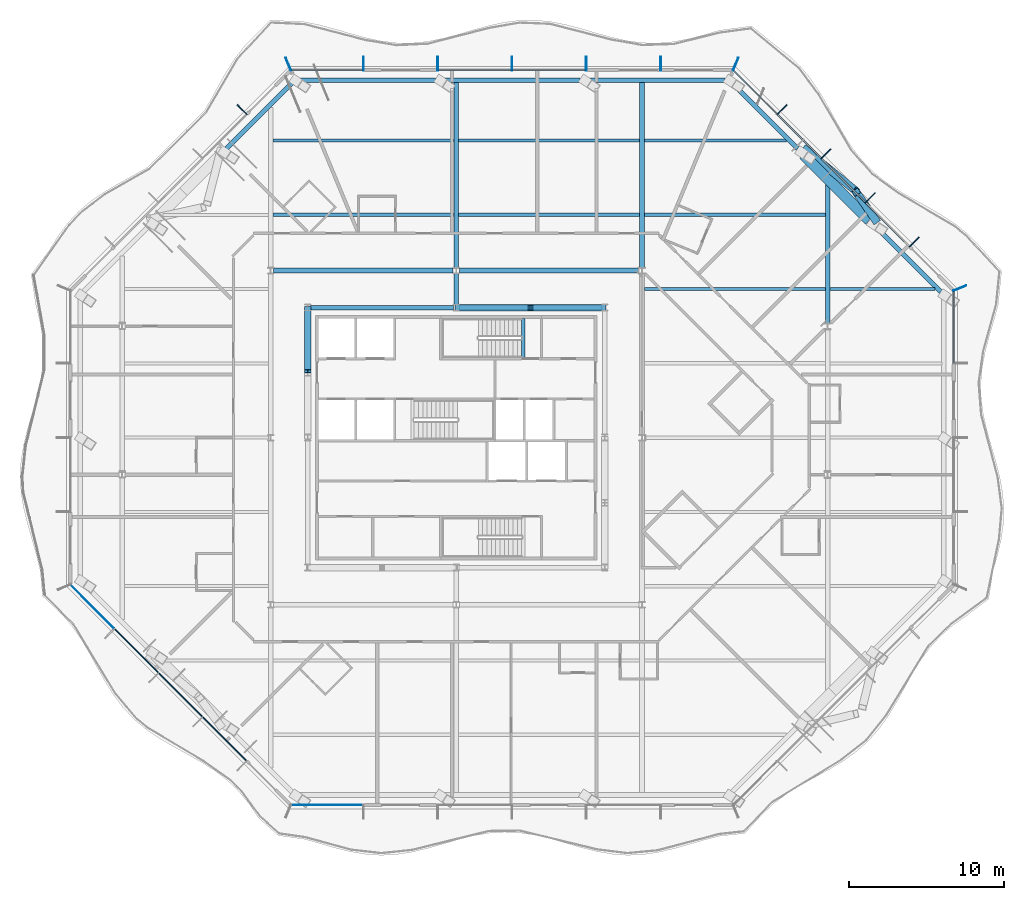
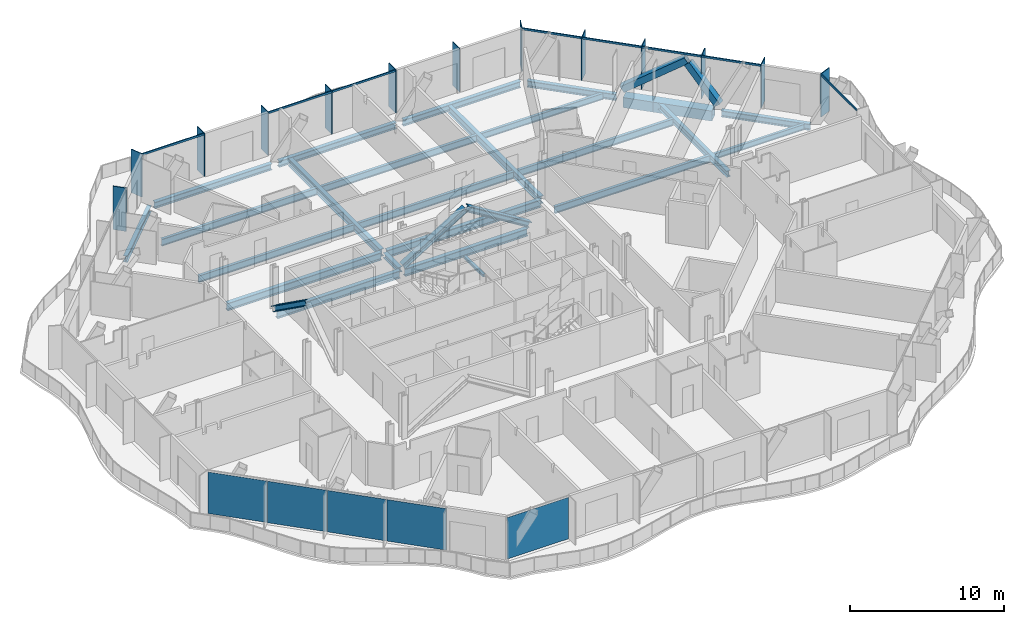
# One storey, part 5 of 19: 26 members, 25 beams, 5 plates, 6 elements without a shape of their own.
"""IFC4 building model written with IfcOpenShell, lengths in metres."""

from ifc_helpers import new_model, si_unit, direction, frame, origin, origin_2d, place, context, subcontext, project, spatial, rectangle, hollow_rectangle, i_section, extrude, material, layer, layer_set, material_profile, profile_set, type_object, element, aggregate, save


model = new_model("IFC4")

# Units and contexts
model_context = context("Model", 3, precision=1e-05, world=origin(), true_north=direction((0.0, 1.0)))
body_context = subcontext(model_context, "Body", "Model", "MODEL_VIEW")
ifc_project = project(units=[si_unit("LENGTHUNIT", "METRE"), si_unit("AREAUNIT", "SQUARE_METRE"), si_unit("VOLUMEUNIT", "CUBIC_METRE"), si_unit("PLANEANGLEUNIT", "RADIAN"), si_unit("MASSUNIT", "GRAM", prefix="KILO")], contexts=[model_context])

# Site, building, storey
site_placement = place(None, origin())
site = spatial("IfcSite", under=ifc_project, at=site_placement, CompositionType="ELEMENT")
building_placement = place(site_placement, origin())
building = spatial("IfcBuilding", under=site, at=building_placement, Name="Cairn Pilgrim Tower", CompositionType="ELEMENT")
storey_placement = place(building_placement, frame((0.0, 0.0, 186.60009765625)))
storey = spatial("IfcBuildingStorey", under=building, at=storey_placement, Name="L47", CompositionType="ELEMENT", Elevation=186.60009765625)

# Members
ifc_material_1 = material(Name="Structural steel S460M", Category="steel")
ifc_material_profile_1 = material_profile(ifc_material_1, hollow_rectangle(XDim=0.5, YDim=0.5, WallThickness=0.030029296875, at=origin_2d()), Name="BOX 500x500x30")
ifc_profile_set_1 = profile_set([ifc_material_profile_1], Name="Structural steel S460M")
member_type_1 = type_object("IfcMemberType", Name="BOX 500x500x30 BRACE", PredefinedType="BRACE", material=ifc_profile_set_1)
member_1_placement = place(storey_placement, frame((34.2958984375, 16.458984375, 0.065185546875), z_axis=(-0.362526913644, 0.52433511381, 0.770484863777), x_axis=(-0.822540266509, -0.568706875263, 0.0)))
element("IfcMember", 1, at=member_1_placement, inside=storey, type_object=member_type_1, Name="XB-NE2-NE3-1", PredefinedType="BRACE", context=body_context, shape_type="SweptSolid", body=[
    extrude(hollow_rectangle(XDim=0.5, YDim=0.5, WallThickness=0.030029296875, at=origin_2d()), origin(), (0.0, 0.0, 1.0), 3.444580078125),
])
member_2_placement = place(storey_placement, frame((29.716552734375, 21.055908203125, 0.14990234375), z_axis=(0.645747598512, -0.530361724878, 0.549296349706), x_axis=(0.634686685606, 0.772769571809, 0.0)))
element("IfcMember", 2, at=member_2_placement, inside=storey, type_object=member_type_1, Name="XB-NE2-NE3-2", PredefinedType="BRACE", context=body_context, shape_type="SweptSolid", body=[
    extrude(hollow_rectangle(XDim=0.5, YDim=0.5, WallThickness=0.030029296875, at=origin_2d()), origin(), (0.0, 0.0, 1.0), 5.080078125),
])

# Beams
ifc_material_2 = material(Name="Structural steel S355J2", Category="steel")
ifc_material_profile_2 = material_profile(ifc_material_2, hollow_rectangle(XDim=0.699951171875, YDim=0.800048828125, WallThickness=0.0400390625, at=origin_2d()), Name="BOX 700x800x40")
ifc_profile_set_2 = profile_set([ifc_material_profile_2], Name="Structural steel S355J2")
beam_type_1 = type_object("IfcBeamType", Name="BOX 700x800x40 RING GIRDER", PredefinedType="SPANDREL", material=ifc_profile_set_2)
beam_1_placement = place(storey_placement, frame((33.884765625, 16.4423828125, -0.550048828125), z_axis=(-0.707106781187, 0.707106781187, 0.0), x_axis=(-0.707106781187, -0.707106781187, 0.0)))
element("IfcBeam", 3, at=beam_1_placement, inside=storey, type_object=beam_type_1, Name="RG2-NE2-NE3-1", PredefinedType="SPANDREL", context=body_context, shape_type="SweptSolid", body=[
    extrude(hollow_rectangle(XDim=0.699951171875, YDim=0.800048828125, WallThickness=0.0400390625, at=origin_2d()), origin(), (0.0, 0.0, 1.0), 3.98046875),
])
beam_2_placement = place(storey_placement, frame((31.070068359375, 19.257080078125, -0.550048828125), z_axis=(-0.707106781187, 0.707106781187, 0.0), x_axis=(-0.707106781187, -0.707106781187, 0.0)))
element("IfcBeam", 4, at=beam_2_placement, inside=storey, type_object=beam_type_1, Name="RG2-NE2-NE3-2", PredefinedType="SPANDREL", context=body_context, shape_type="SweptSolid", body=[
    extrude(hollow_rectangle(XDim=0.699951171875, YDim=0.800048828125, WallThickness=0.0400390625, at=origin_2d()), origin(), (0.0, 0.0, 1.0), 2.01904296875),
])

# Curtain wall, members
ifc_material_3 = material(Name="Aluminium alloy 6063-T6 bronze anodised with Bronze tinted laminated low-E glass 8+16+8.8", Category="aluminium")
curtain_wall_type_1 = type_object("IfcCurtainWallType", Name="CHAMFER CORNER CURTAIN WALL", PredefinedType="NOTDEFINED", material=ifc_material_3)
curtain_wall_1_placement = place(storey_placement, origin())
curtain_wall_1 = element("IfcCurtainWall", 5, at=curtain_wall_1_placement, inside=storey, type_object=curtain_wall_type_1, Name="Chamfer Corner Curtain Wall NE", PredefinedType="NOTDEFINED")
ifc_material_4 = material(Name="Aluminium alloy 6063-T6 bronze anodised", Category="aluminium")
ifc_material_profile_3 = material_profile(ifc_material_4, rectangle(XDim=0.89990234375, YDim=0.06005859375, at=origin_2d()), Name="FIN MULLION 60x900 BRONZE")
ifc_profile_set_3 = profile_set([ifc_material_profile_3], Name="Aluminium alloy 6063-T6 bronze anodised")
member_type_2 = type_object("IfcMemberType", Name="FIN MULLION 60x900 BRONZE", PredefinedType="MULLION", material=ifc_profile_set_3)
member_3_placement = place(storey_placement, frame((39.738037109375, 12.05712890625, 0.0), z_axis=(0.0, 0.0, 1.0), x_axis=(0.923879532511, 0.382683432365, 0.0)))
member_3 = element("IfcMember", 6, at=member_3_placement, type_object=member_type_2, Name="Fin mullion NE1", PredefinedType="MULLION", context=body_context, shape_type="SweptSolid", body=[
    extrude(rectangle(XDim=0.89990234375, YDim=0.06005859375, at=origin_2d()), origin(), (0.0, 0.0, 1.0), 3.449951171875),
])
member_4_placement = place(storey_placement, frame((36.79638671875, 15.044189453125, 0.0), z_axis=(0.0, 0.0, 1.0), x_axis=(0.707106781187, 0.707106781187, 0.0)))
member_4 = element("IfcMember", 7, at=member_4_placement, type_object=member_type_2, Name="Fin mullion NE2", PredefinedType="MULLION", context=body_context, shape_type="SweptSolid", body=[
    extrude(rectangle(XDim=0.89990234375, YDim=0.06005859375, at=origin_2d()), origin(), (0.0, 0.0, 1.0), 3.449951171875),
])
member_5_placement = place(storey_placement, frame((33.945556640625, 17.894775390625, 0.0), z_axis=(0.0, 0.0, 1.0), x_axis=(0.707106781187, 0.707106781187, 0.0)))
member_5 = element("IfcMember", 8, at=member_5_placement, type_object=member_type_2, Name="Fin mullion NE3", PredefinedType="MULLION", context=body_context, shape_type="SweptSolid", body=[
    extrude(rectangle(XDim=0.89990234375, YDim=0.06005859375, at=origin_2d()), origin(), (0.0, 0.0, 1.0), 3.449951171875),
])
member_6_placement = place(storey_placement, frame((31.094970703125, 20.74560546875, 0.0), z_axis=(0.0, 0.0, 1.0), x_axis=(0.707106781187, 0.707106781187, 0.0)))
member_6 = element("IfcMember", 9, at=member_6_placement, type_object=member_type_2, Name="Fin mullion NE4", PredefinedType="MULLION", context=body_context, shape_type="SweptSolid", body=[
    extrude(rectangle(XDim=0.89990234375, YDim=0.06005859375, at=origin_2d()), origin(), (0.0, 0.0, 1.0), 3.449951171875),
])
member_7_placement = place(storey_placement, frame((28.244140625, 23.59619140625, 0.0), z_axis=(0.0, 0.0, 1.0), x_axis=(0.707106781187, 0.707106781187, 0.0)))
member_7 = element("IfcMember", 10, at=member_7_placement, type_object=member_type_2, Name="Fin mullion NE5", PredefinedType="MULLION", context=body_context, shape_type="SweptSolid", body=[
    extrude(rectangle(XDim=0.89990234375, YDim=0.06005859375, at=origin_2d()), origin(), (0.0, 0.0, 1.0), 3.449951171875),
])

curtain_wall_type_2 = type_object("IfcCurtainWallType", Name="TOWER STICK CURTAIN WALL NS", PredefinedType="NOTDEFINED", material=ifc_material_3)
curtain_wall_2_placement = place(storey_placement, origin())
curtain_wall_2 = element("IfcCurtainWall", 11, at=curtain_wall_2_placement, inside=storey, type_object=curtain_wall_type_2, Name="Tower Stick Curtain Wall Ns N", PredefinedType="NOTDEFINED")
member_8_placement = place(storey_placement, frame((25.257080078125, 26.5380859375, 0.0), z_axis=(0.0, 0.0, 1.0), x_axis=(0.382683432365, 0.923879532511, 0.0)))
member_8 = element("IfcMember", 12, at=member_8_placement, type_object=member_type_2, Name="Fin mullion N1", PredefinedType="MULLION", context=body_context, shape_type="SweptSolid", body=[
    extrude(rectangle(XDim=0.89990234375, YDim=0.06005859375, at=origin_2d()), origin(), (0.0, 0.0, 1.0), 3.449951171875),
])
member_9_placement = place(storey_placement, frame((20.39990234375, 26.570068359375, 0.0), z_axis=(0.0, 0.0, 1.0), x_axis=(0.0, 1.0, 0.0)))
member_9 = element("IfcMember", 13, at=member_9_placement, type_object=member_type_2, Name="Fin mullion N2", PredefinedType="MULLION", context=body_context, shape_type="SweptSolid", body=[
    extrude(rectangle(XDim=0.89990234375, YDim=0.06005859375, at=origin_2d()), origin(), (0.0, 0.0, 1.0), 3.449951171875),
])
member_10_placement = place(storey_placement, frame((15.60009765625, 26.570068359375, 0.0), z_axis=(0.0, 0.0, 1.0), x_axis=(0.0, 1.0, 0.0)))
member_10 = element("IfcMember", 14, at=member_10_placement, type_object=member_type_2, Name="Fin mullion N3", PredefinedType="MULLION", context=body_context, shape_type="SweptSolid", body=[
    extrude(rectangle(XDim=0.89990234375, YDim=0.06005859375, at=origin_2d()), origin(), (0.0, 0.0, 1.0), 3.449951171875),
])
member_11_placement = place(storey_placement, frame((10.800048828125, 26.570068359375, 0.0), z_axis=(0.0, 0.0, 1.0), x_axis=(0.0, 1.0, 0.0)))
member_11 = element("IfcMember", 15, at=member_11_placement, type_object=member_type_2, Name="Fin mullion N4", PredefinedType="MULLION", context=body_context, shape_type="SweptSolid", body=[
    extrude(rectangle(XDim=0.89990234375, YDim=0.06005859375, at=origin_2d()), origin(), (0.0, 0.0, 1.0), 3.449951171875),
])
member_12_placement = place(storey_placement, frame((6.0, 26.570068359375, 0.0), z_axis=(0.0, 0.0, 1.0), x_axis=(0.0, 1.0, 0.0)))
member_12 = element("IfcMember", 16, at=member_12_placement, type_object=member_type_2, Name="Fin mullion N5", PredefinedType="MULLION", context=body_context, shape_type="SweptSolid", body=[
    extrude(rectangle(XDim=0.89990234375, YDim=0.06005859375, at=origin_2d()), origin(), (0.0, 0.0, 1.0), 3.449951171875),
])
member_13_placement = place(storey_placement, frame((1.199951171875, 26.570068359375, 0.0), z_axis=(0.0, 0.0, 1.0), x_axis=(0.0, 1.0, 0.0)))
member_13 = element("IfcMember", 17, at=member_13_placement, type_object=member_type_2, Name="Fin mullion N6", PredefinedType="MULLION", context=body_context, shape_type="SweptSolid", body=[
    extrude(rectangle(XDim=0.89990234375, YDim=0.06005859375, at=origin_2d()), origin(), (0.0, 0.0, 1.0), 3.449951171875),
])

curtain_wall_3_placement = place(storey_placement, origin())
curtain_wall_3 = element("IfcCurtainWall", 18, at=curtain_wall_3_placement, inside=storey, type_object=curtain_wall_type_1, Name="Chamfer Corner Curtain Wall NW", PredefinedType="NOTDEFINED")
member_14_placement = place(storey_placement, frame((-3.6572265625, 26.5380859375, 0.0), z_axis=(0.0, 0.0, 1.0), x_axis=(-0.382683432365, 0.923879532511, 0.0)))
member_14 = element("IfcMember", 19, at=member_14_placement, type_object=member_type_2, Name="Fin mullion NW1", PredefinedType="MULLION", context=body_context, shape_type="SweptSolid", body=[
    extrude(rectangle(XDim=0.89990234375, YDim=0.06005859375, at=origin_2d()), origin(), (0.0, 0.0, 1.0), 3.449951171875),
])
member_15_placement = place(storey_placement, frame((-6.64404296875, 23.59619140625, 0.0), z_axis=(0.0, 0.0, 1.0), x_axis=(-0.707106781187, 0.707106781187, 0.0)))
member_15 = element("IfcMember", 20, at=member_15_placement, type_object=member_type_2, Name="Fin mullion NW2", PredefinedType="MULLION", context=body_context, shape_type="SweptSolid", body=[
    extrude(rectangle(XDim=0.89990234375, YDim=0.06005859375, at=origin_2d()), origin(), (0.0, 0.0, 1.0), 3.449951171875),
])
aggregate(curtain_wall_3, [member_14, member_15])

# Members
ifc_material_profile_4 = material_profile(ifc_material_1, i_section(OverallWidth=0.408935546875, OverallDepth=0.425048828125, WebThickness=0.03271484375, FlangeThickness=0.052490234375, FilletRadius=0.014892578125, at=origin_2d()), Name="HD 400x421")
ifc_profile_set_4 = profile_set([ifc_material_profile_4], Name="Structural steel S460M")
member_type_3 = type_object("IfcMemberType", Name="HD 400x421 BRACE", PredefinedType="BRACE", material=ifc_profile_set_4)
for number, where, z_axis, x_axis, name in (
    (21, (16.75830078125, 10.800048828125, 0.099853515625), (-0.851099832195, 0.0, 0.525003881545), (0.0, -1.0, 0.0), "KB-3A"),
    (22, (7.24169921875, 10.800048828125, 0.099853515625), (0.851099832195, 0.0, 0.525003881545), (0.0, 1.0, 0.0), "KB-3B"),
):
    element("IfcMember", number, at=place(storey_placement, frame(where, z_axis=z_axis, x_axis=x_axis)), inside=storey, type_object=member_type_3, Name=name, PredefinedType="BRACE", context=body_context, shape_type="SweptSolid", body=[
        extrude(i_section(OverallWidth=0.408935546875, OverallDepth=0.425048828125, WebThickness=0.03271484375, FlangeThickness=0.052490234375, FilletRadius=0.014892578125, at=origin_2d()), origin(), (0.0, 0.0, 1.0), 5.5283203125),
    ])
member_16_placement = place(storey_placement, frame((-2.39990234375, 10.75830078125, 0.099853515625), z_axis=(0.0, -0.81433042856, 0.580401544727), x_axis=(1.0, 0.0, 0.0)))
element("IfcMember", 23, at=member_16_placement, inside=storey, type_object=member_type_3, Name="KB-4A", PredefinedType="BRACE", context=body_context, shape_type="SweptSolid", body=[
    extrude(i_section(OverallWidth=0.408935546875, OverallDepth=0.425048828125, WebThickness=0.03271484375, FlangeThickness=0.052490234375, FilletRadius=0.014892578125, at=origin_2d()), origin(), (0.0, 0.0, 1.0), 4.998046875),
])

# Beams
ifc_material_profile_5 = material_profile(ifc_material_2, i_section(OverallWidth=0.300048828125, OverallDepth=0.39990234375, WebThickness=0.013427734375, FlangeThickness=0.02392578125, FilletRadius=0.027099609375, at=origin_2d()), Name="HEB 400")
ifc_profile_set_5 = profile_set([ifc_material_profile_5], Name="Structural steel S355J2")
beam_type_2 = type_object("IfcBeamType", Name="HEB 400 GIRDER", PredefinedType="BEAM", material=ifc_profile_set_5)
beam_3_placement = place(storey_placement, frame((7.199951171875, 11.008056640625, -0.35009765625), z_axis=(0.0, 1.0, 0.0), x_axis=(-1.0, 0.0, 0.0)))
element("IfcBeam", 24, at=beam_3_placement, inside=storey, type_object=beam_type_2, Name="PG3-E2", PredefinedType="BEAM", context=body_context, shape_type="SweptSolid", body=[
    extrude(i_section(OverallWidth=0.300048828125, OverallDepth=0.39990234375, WebThickness=0.013427734375, FlangeThickness=0.02392578125, FilletRadius=0.027099609375, at=origin_2d()), origin(), (0.0, 0.0, 1.0), 1.992431640625),
])
ifc_material_profile_6 = material_profile(ifc_material_2, i_section(OverallWidth=0.300048828125, OverallDepth=0.5, WebThickness=0.014404296875, FlangeThickness=0.028076171875, FilletRadius=0.027099609375, at=origin_2d()), Name="HEB 500")
ifc_profile_set_6 = profile_set([ifc_material_profile_6], Name="Structural steel S355J2")
beam_type_3 = type_object("IfcBeamType", Name="HEB 500 GIRDER", PredefinedType="BEAM", material=ifc_profile_set_6)
beam_4_placement = place(storey_placement, frame((31.199951171875, 9.804443359375, -0.400146484375), z_axis=(0.0, 1.0, 0.0), x_axis=(-1.0, 0.0, 0.0)))
element("IfcBeam", 25, at=beam_4_placement, inside=storey, type_object=beam_type_3, Name="PG5-3", PredefinedType="BEAM", context=body_context, shape_type="SweptSolid", body=[
    extrude(i_section(OverallWidth=0.300048828125, OverallDepth=0.5, WebThickness=0.014404296875, FlangeThickness=0.028076171875, FilletRadius=0.027099609375, at=origin_2d()), origin(), (0.0, 0.0, 1.0), 9.140625),
])
ifc_material_profile_7 = material_profile(ifc_material_2, i_section(OverallWidth=0.300048828125, OverallDepth=0.5, WebThickness=0.014404296875, FlangeThickness=0.028076171875, FilletRadius=0.027099609375, at=origin_2d()), Name="HEB 500")
ifc_profile_set_7 = profile_set([ifc_material_profile_7], Name="Structural steel S355J2")
beam_type_4 = type_object("IfcBeamType", Name="HEB 500 RING GIRDER", PredefinedType="SPANDREL", material=ifc_profile_set_7)
for number, where, z_axis, x_axis, name in (
    (26, (38.509033203125, 11.818115234375, -0.400146484375), (-0.707106781187, 0.707106781187, 0.0), (-0.707106781187, -0.707106781187, 0.0), "RG2-NE1-NE2"),
    (27, (29.260498046875, 21.066650390625, -0.400146484375), (-0.707106781187, 0.707106781187, 0.0), (-0.707106781187, -0.707106781187, 0.0), "RG2-NE3-N1"),
):
    element("IfcBeam", number, at=place(storey_placement, frame(where, z_axis=z_axis, x_axis=x_axis)), inside=storey, type_object=beam_type_4, Name=name, PredefinedType="SPANDREL", context=body_context, shape_type="SweptSolid", body=[
        extrude(i_section(OverallWidth=0.300048828125, OverallDepth=0.5, WebThickness=0.014404296875, FlangeThickness=0.028076171875, FilletRadius=0.027099609375, at=origin_2d()), origin(), (0.0, 0.0, 1.0), 5.999755859375),
    ])
for number, where, z_axis, x_axis, name in (
    (28, (24.55712890625, 25.5, -0.400146484375), (-1.0, 0.0, 0.0), (0.0, -1.0, 0.0), "RG2-N1-N2"),
    (29, (15.205810546875, 25.5, -0.400146484375), (-1.0, 0.0, 0.0), (0.0, -1.0, 0.0), "RG2-N2-N3"),
    (30, (5.854248046875, 25.5, -0.400146484375), (-1.0, 0.0, 0.0), (0.0, -1.0, 0.0), "RG2-N3-NW1"),
):
    element("IfcBeam", number, at=place(storey_placement, frame(where, z_axis=z_axis, x_axis=x_axis)), inside=storey, type_object=beam_type_4, Name=name, PredefinedType="SPANDREL", context=body_context, shape_type="SweptSolid", body=[
        extrude(i_section(OverallWidth=0.300048828125, OverallDepth=0.5, WebThickness=0.014404296875, FlangeThickness=0.028076171875, FilletRadius=0.027099609375, at=origin_2d()), origin(), (0.0, 0.0, 1.0), 8.8115234375),
    ])
beam_5_placement = place(storey_placement, frame((-3.418212890625, 25.30908203125, -0.400146484375), z_axis=(-0.707106781187, -0.707106781187, 0.0), x_axis=(0.707106781187, -0.707106781187, 0.0)))
element("IfcBeam", 31, at=beam_5_placement, inside=storey, type_object=beam_type_4, Name="RG2-NW1-NW2", PredefinedType="SPANDREL", context=body_context, shape_type="SweptSolid", body=[
    extrude(i_section(OverallWidth=0.300048828125, OverallDepth=0.5, WebThickness=0.014404296875, FlangeThickness=0.028076171875, FilletRadius=0.027099609375, at=origin_2d()), origin(), (0.0, 0.0, 1.0), 5.999755859375),
])
ifc_material_profile_8 = material_profile(ifc_material_2, i_section(OverallWidth=0.300048828125, OverallDepth=0.60009765625, WebThickness=0.015380859375, FlangeThickness=0.030029296875, FilletRadius=0.027099609375, at=origin_2d()), Name="HEB 600")
ifc_profile_set_8 = profile_set([ifc_material_profile_8], Name="Structural steel S355J2")
beam_type_5 = type_object("IfcBeamType", Name="HEB 600 CORE BEAM", PredefinedType="BEAM", material=ifc_profile_set_8)
for number, where, z_axis, x_axis, name in (
    (32, (16.61279296875, 10.800048828125, -0.4501953125), (-1.0, 0.0, 0.0), (0.0, -1.0, 0.0), "CB-5"),
    (33, (7.0126953125, 10.800048828125, -0.4501953125), (-1.0, 0.0, 0.0), (0.0, -1.0, 0.0), "CB-6"),
):
    element("IfcBeam", number, at=place(storey_placement, frame(where, z_axis=z_axis, x_axis=x_axis)), inside=storey, type_object=beam_type_5, Name=name, PredefinedType="BEAM", context=body_context, shape_type="SweptSolid", body=[
        extrude(i_section(OverallWidth=0.300048828125, OverallDepth=0.60009765625, WebThickness=0.015380859375, FlangeThickness=0.030029296875, FilletRadius=0.027099609375, at=origin_2d()), origin(), (0.0, 0.0, 1.0), 9.2255859375),
    ])
ifc_material_profile_9 = material_profile(ifc_material_2, i_section(OverallWidth=0.300048828125, OverallDepth=0.60009765625, WebThickness=0.015380859375, FlangeThickness=0.030029296875, FilletRadius=0.027099609375, at=origin_2d()), Name="HEB 600")
ifc_profile_set_9 = profile_set([ifc_material_profile_9], Name="Structural steel S355J2")
beam_type_6 = type_object("IfcBeamType", Name="HEB 600 GIRDER", PredefinedType="BEAM", material=ifc_profile_set_9)
for number, where, z_axis, x_axis, name in (
    (34, (7.199951171875, 13.3994140625, -0.4501953125), (0.0, 1.0, 0.0), (-1.0, 0.0, 0.0), "PG3-2"),
    (35, (19.199951171875, 13.3994140625, -0.4501953125), (0.0, 1.0, 0.0), (-1.0, 0.0, 0.0), "PG4-4"),
):
    element("IfcBeam", number, at=place(storey_placement, frame(where, z_axis=z_axis, x_axis=x_axis)), inside=storey, type_object=beam_type_6, Name=name, PredefinedType="BEAM", context=body_context, shape_type="SweptSolid", body=[
        extrude(i_section(OverallWidth=0.300048828125, OverallDepth=0.60009765625, WebThickness=0.015380859375, FlangeThickness=0.030029296875, FilletRadius=0.027099609375, at=origin_2d()), origin(), (0.0, 0.0, 1.0), 11.98046875),
    ])
ifc_material_profile_10 = material_profile(ifc_material_2, i_section(OverallWidth=0.300048828125, OverallDepth=0.60009765625, WebThickness=0.015380859375, FlangeThickness=0.030029296875, FilletRadius=0.027099609375, at=origin_2d()), Name="HEB 600")
ifc_profile_set_10 = profile_set([ifc_material_profile_10], Name="Structural steel S355J2")
beam_type_7 = type_object("IfcBeamType", Name="HEB 600 INNER GIRDER", PredefinedType="BEAM", material=ifc_profile_set_10)
for number, where, z_axis, x_axis, name in (
    (36, (-4.6005859375, 13.199951171875, -0.4501953125), (1.0, 0.0, 0.0), (0.0, 1.0, 0.0), "IG2-1"),
    (37, (7.3994140625, 13.199951171875, -0.4501953125), (1.0, 0.0, 0.0), (0.0, 1.0, 0.0), "IG2-2"),
):
    element("IfcBeam", number, at=place(storey_placement, frame(where, z_axis=z_axis, x_axis=x_axis)), inside=storey, type_object=beam_type_7, Name=name, PredefinedType="BEAM", context=body_context, shape_type="SweptSolid", body=[
        extrude(i_section(OverallWidth=0.300048828125, OverallDepth=0.60009765625, WebThickness=0.015380859375, FlangeThickness=0.030029296875, FilletRadius=0.027099609375, at=origin_2d()), origin(), (0.0, 0.0, 1.0), 11.60107421875),
    ])
ifc_material_profile_11 = material_profile(ifc_material_2, i_section(OverallWidth=0.18994140625, OverallDepth=0.449951171875, WebThickness=0.009521484375, FlangeThickness=0.0146484375, FilletRadius=0.02099609375, at=origin_2d()), Name="IPE 450")
ifc_profile_set_11 = profile_set([ifc_material_profile_11], Name="Structural steel S355J2")
beam_type_8 = type_object("IfcBeamType", Name="IPE 450 SECONDARY BEAM", PredefinedType="JOIST", material=ifc_profile_set_11)
beam_6_placement = place(storey_placement, frame((31.35009765625, 12.0, -0.375), z_axis=(1.0, 0.0, 0.0), x_axis=(0.0, 1.0, 0.0)))
element("IfcBeam", 38, at=beam_6_placement, inside=storey, type_object=beam_type_8, Name="SB7-3", PredefinedType="JOIST", context=body_context, shape_type="SweptSolid", body=[
    extrude(i_section(OverallWidth=0.18994140625, OverallDepth=0.449951171875, WebThickness=0.009521484375, FlangeThickness=0.0146484375, FilletRadius=0.02099609375, at=origin_2d()), origin(), (0.0, 0.0, 1.0), 6.794921875),
])
ifc_material_profile_12 = material_profile(ifc_material_2, i_section(OverallWidth=0.199951171875, OverallDepth=0.5, WebThickness=0.01025390625, FlangeThickness=0.01611328125, FilletRadius=0.02099609375, at=origin_2d()), Name="IPE 500")
ifc_profile_set_12 = profile_set([ifc_material_profile_12], Name="Structural steel S355J2")
beam_type_9 = type_object("IfcBeamType", Name="IPE 500 SECONDARY BEAM", PredefinedType="JOIST", material=ifc_profile_set_12)
beam_7_placement = place(storey_placement, frame((19.35009765625, 21.60009765625, -0.400146484375), z_axis=(1.0, 0.0, 0.0), x_axis=(0.0, 1.0, 0.0)))
element("IfcBeam", 39, at=beam_7_placement, inside=storey, type_object=beam_type_9, Name="SB9-3", PredefinedType="JOIST", context=body_context, shape_type="SweptSolid", body=[
    extrude(i_section(OverallWidth=0.199951171875, OverallDepth=0.5, WebThickness=0.01025390625, FlangeThickness=0.01611328125, FilletRadius=0.02099609375, at=origin_2d()), origin(), (0.0, 0.0, 1.0), 9.195068359375),
])
ifc_material_profile_13 = material_profile(ifc_material_2, i_section(OverallWidth=0.2099609375, OverallDepth=0.550048828125, WebThickness=0.010986328125, FlangeThickness=0.01708984375, FilletRadius=0.02392578125, at=origin_2d()), Name="IPE 550")
ifc_profile_set_13 = profile_set([ifc_material_profile_13], Name="Structural steel S355J2")
beam_type_10 = type_object("IfcBeamType", Name="IPE 550 SECONDARY BEAM", PredefinedType="JOIST", material=ifc_profile_set_13)
for number, where, z_axis, x_axis, name in (
    (40, (19.35009765625, 12.0, -0.425048828125), (1.0, 0.0, 0.0), (0.0, 1.0, 0.0), "SB7-2"),
    (41, (-4.64990234375, 16.800048828125, -0.425048828125), (1.0, 0.0, 0.0), (0.0, 1.0, 0.0), "SB8-2"),
    (42, (7.35009765625, 16.800048828125, -0.425048828125), (1.0, 0.0, 0.0), (0.0, 1.0, 0.0), "SB8-3"),
    (43, (19.35009765625, 16.800048828125, -0.425048828125), (1.0, 0.0, 0.0), (0.0, 1.0, 0.0), "SB8-4"),
    (44, (-4.64990234375, 21.60009765625, -0.425048828125), (1.0, 0.0, 0.0), (0.0, 1.0, 0.0), "SB9-1"),
    (45, (7.35009765625, 21.60009765625, -0.425048828125), (1.0, 0.0, 0.0), (0.0, 1.0, 0.0), "SB9-2"),
):
    element("IfcBeam", number, at=place(storey_placement, frame(where, z_axis=z_axis, x_axis=x_axis)), inside=storey, type_object=beam_type_10, Name=name, PredefinedType="JOIST", context=body_context, shape_type="SweptSolid", body=[
        extrude(i_section(OverallWidth=0.2099609375, OverallDepth=0.550048828125, WebThickness=0.010986328125, FlangeThickness=0.01708984375, FilletRadius=0.02392578125, at=origin_2d()), origin(), (0.0, 0.0, 1.0), 11.699951171875),
    ])
ifc_material_profile_14 = material_profile(ifc_material_2, i_section(OverallWidth=0.199951171875, OverallDepth=0.199951171875, WebThickness=0.009033203125, FlangeThickness=0.014892578125, FilletRadius=0.01806640625, at=origin_2d()), Name="HE 200 B")
ifc_profile_set_14 = profile_set([ifc_material_profile_14], Name="Structural steel S355J2")
beam_type_11 = type_object("IfcBeamType", Name="STAIR LANDING BEAM HE 200 B", PredefinedType="BEAM", material=ifc_profile_set_14)
beam_8_placement = place(storey_placement, frame((11.5244140625, 10.10009765625, -0.25), z_axis=(0.0, -1.0, 0.0), x_axis=(1.0, 0.0, 0.0)))
element("IfcBeam", 46, at=beam_8_placement, inside=storey, type_object=beam_type_11, Name="STAIR LANDING BEAM LD-HE200B", PredefinedType="BEAM", context=body_context, shape_type="SweptSolid", body=[
    extrude(i_section(OverallWidth=0.199951171875, OverallDepth=0.199951171875, WebThickness=0.009033203125, FlangeThickness=0.014892578125, FilletRadius=0.01806640625, at=origin_2d()), origin(), (0.0, 0.0, 1.0), 2.525146484375),
])

# Curtain wall, member
curtain_wall_type_3 = type_object("IfcCurtainWallType", Name="TOWER STICK CURTAIN WALL EW", PredefinedType="NOTDEFINED", material=ifc_material_3)
curtain_wall_4_placement = place(storey_placement, origin())
curtain_wall_4 = element("IfcCurtainWall", 47, at=curtain_wall_4_placement, inside=storey, type_object=curtain_wall_type_3, Name="Tower Stick Curtain Wall Ew E", PredefinedType="NOTDEFINED")
ifc_material_profile_15 = material_profile(ifc_material_4, rectangle(XDim=0.080078125, YDim=0.14990234375, at=origin_2d()), Name="TRANSOM 80x150 BRONZE")
ifc_profile_set_15 = profile_set([ifc_material_profile_15], Name="Aluminium alloy 6063-T6 bronze anodised")
member_type_4 = type_object("IfcMemberType", Name="TRANSOM 80x150 BRONZE", PredefinedType="USERDEFINED", material=ifc_profile_set_15)
member_17_placement = place(storey_placement, frame((39.35009765625, 7.22998046875, 3.375), z_axis=(0.0, 1.0, 0.0), x_axis=(-1.0, 0.0, 0.0)))
member_17 = element("IfcMember", 48, at=member_17_placement, type_object=member_type_4, Name="Transom E4", ObjectType="TRANSOM", PredefinedType="USERDEFINED", context=body_context, shape_type="SweptSolid", body=[
    extrude(rectangle(XDim=0.080078125, YDim=0.14990234375, at=origin_2d()), origin(), (0.0, 0.0, 1.0), 4.62646484375),
])
aggregate(curtain_wall_4, [member_17])

# Member
member_18_placement = place(storey_placement, frame((36.47802734375, 14.768310546875, 3.375), z_axis=(-0.707106781187, 0.707106781187, 0.0), x_axis=(-0.707106781187, -0.707106781187, 0.0)))
member_18 = element("IfcMember", 49, at=member_18_placement, type_object=member_type_4, Name="Transom NE2", ObjectType="TRANSOM", PredefinedType="USERDEFINED", context=body_context, shape_type="SweptSolid", body=[
    extrude(rectangle(XDim=0.080078125, YDim=0.14990234375, at=origin_2d()), origin(), (0.0, 0.0, 1.0), 3.9716796875),
])

member_19_placement = place(storey_placement, frame((33.62744140625, 17.619140625, 3.375), z_axis=(-0.70713751761, 0.707076043427, 0.0), x_axis=(-0.707076043427, -0.70713751761, 0.0)))
member_19 = element("IfcMember", 50, at=member_19_placement, type_object=member_type_4, Name="Transom NE3", ObjectType="TRANSOM", PredefinedType="USERDEFINED", context=body_context, shape_type="SweptSolid", body=[
    extrude(rectangle(XDim=0.080078125, YDim=0.14990234375, at=origin_2d()), origin(), (0.0, 0.0, 1.0), 3.971435546875),
])

member_20_placement = place(storey_placement, frame((30.776611328125, 20.4697265625, 3.375), z_axis=(-0.707106781187, 0.707106781187, 0.0), x_axis=(-0.707106781187, -0.707106781187, 0.0)))
member_20 = element("IfcMember", 51, at=member_20_placement, type_object=member_type_4, Name="Transom NE4", ObjectType="TRANSOM", PredefinedType="USERDEFINED", context=body_context, shape_type="SweptSolid", body=[
    extrude(rectangle(XDim=0.080078125, YDim=0.14990234375, at=origin_2d()), origin(), (0.0, 0.0, 1.0), 3.9716796875),
])

member_21_placement = place(storey_placement, frame((27.926025390625, 23.320556640625, 3.375), z_axis=(-0.707106781187, 0.707106781187, 0.0), x_axis=(-0.707106781187, -0.707106781187, 0.0)))
member_21 = element("IfcMember", 52, at=member_21_placement, type_object=member_type_4, Name="Transom NE5", ObjectType="TRANSOM", PredefinedType="USERDEFINED", context=body_context, shape_type="SweptSolid", body=[
    extrude(rectangle(XDim=0.080078125, YDim=0.14990234375, at=origin_2d()), origin(), (0.0, 0.0, 1.0), 3.961669921875),
])

aggregate(curtain_wall_1, [member_3, member_4, member_5, member_6, member_7, member_18, member_19, member_20, member_21])

member_22_placement = place(storey_placement, frame((15.570068359375, 26.14990234375, 3.375), z_axis=(-1.0, 0.0, 0.0), x_axis=(0.0, -1.0, 0.0)))
member_22 = element("IfcMember", 53, at=member_22_placement, type_object=member_type_4, Name="Transom N3", ObjectType="TRANSOM", PredefinedType="USERDEFINED", context=body_context, shape_type="SweptSolid", body=[
    extrude(rectangle(XDim=0.080078125, YDim=0.14990234375, at=origin_2d()), origin(), (0.0, 0.0, 1.0), 4.739990234375),
])

member_23_placement = place(storey_placement, frame((10.77001953125, 26.14990234375, 3.375), z_axis=(-1.0, 0.0, 0.0), x_axis=(0.0, -1.0, 0.0)))
member_23 = element("IfcMember", 54, at=member_23_placement, type_object=member_type_4, Name="Transom N4", ObjectType="TRANSOM", PredefinedType="USERDEFINED", context=body_context, shape_type="SweptSolid", body=[
    extrude(rectangle(XDim=0.080078125, YDim=0.14990234375, at=origin_2d()), origin(), (0.0, 0.0, 1.0), 4.739990234375),
])

member_24_placement = place(storey_placement, frame((1.169921875, 26.14990234375, 3.375), z_axis=(-1.0, 0.0, 0.0), x_axis=(0.0, -1.0, 0.0)))
member_24 = element("IfcMember", 55, at=member_24_placement, type_object=member_type_4, Name="Transom N6", ObjectType="TRANSOM", PredefinedType="USERDEFINED", context=body_context, shape_type="SweptSolid", body=[
    extrude(rectangle(XDim=0.080078125, YDim=0.14990234375, at=origin_2d()), origin(), (0.0, 0.0, 1.0), 4.62646484375),
])

aggregate(curtain_wall_2, [member_8, member_9, member_10, member_11, member_12, member_13, member_22, member_23, member_24])

# Curtain wall, plates
curtain_wall_5_placement = place(storey_placement, origin())
curtain_wall_5 = element("IfcCurtainWall", 56, at=curtain_wall_5_placement, inside=storey, type_object=curtain_wall_type_1, Name="Chamfer Corner Curtain Wall SW", PredefinedType="NOTDEFINED")
ifc_material_5 = material(Name="Bronze anodised aluminium spandrel panel with mineral wool insulation", Category="aluminium")
ifc_layer_1 = layer(ifc_material_5, 0.06005859375)
ifc_layer_set_1 = layer_set([ifc_layer_1], Name="SPANDREL PANEL 3972x3300")
plate_type_1 = type_object("IfcPlateType", Name="SPANDREL PANEL 3972x3300", PredefinedType="CURTAIN_PANEL", material=ifc_layer_set_1)
plate_1_placement = place(storey_placement, frame((-13.473876953125, -11.37255859375, 0.0), z_axis=(0.0, 0.0, 1.0), x_axis=(0.707106781187, -0.707106781187, 0.0)))
plate_1 = element("IfcPlate", 57, at=plate_1_placement, type_object=plate_type_1, Name="Spandrel Panel SW2-1", PredefinedType="CURTAIN_PANEL", context=body_context, shape_type="SweptSolid", body=[
    extrude(rectangle(XDim=3.971435546875, YDim=0.06005859375, at=origin_2d()), origin(), (0.0, 0.0, 1.0), 3.300048828125),
])
plate_2_placement = place(storey_placement, frame((-10.623291015625, -14.22314453125, 0.0), z_axis=(0.0, 0.0, 1.0), x_axis=(0.707106781187, -0.707106781187, 0.0)))
plate_2 = element("IfcPlate", 58, at=plate_2_placement, type_object=plate_type_1, Name="Spandrel Panel SW3-1", PredefinedType="CURTAIN_PANEL", context=body_context, shape_type="SweptSolid", body=[
    extrude(rectangle(XDim=3.971435546875, YDim=0.06005859375, at=origin_2d()), origin(), (0.0, 0.0, 1.0), 3.300048828125),
])
plate_3_placement = place(storey_placement, frame((-7.7724609375, -17.073974609375, 0.0), z_axis=(0.0, 0.0, 1.0), x_axis=(0.707106781187, -0.707106781187, 0.0)))
plate_3 = element("IfcPlate", 59, at=plate_3_placement, type_object=plate_type_1, Name="Spandrel Panel SW4-1", PredefinedType="CURTAIN_PANEL", context=body_context, shape_type="SweptSolid", body=[
    extrude(rectangle(XDim=3.971435546875, YDim=0.06005859375, at=origin_2d()), origin(), (0.0, 0.0, 1.0), 3.300048828125),
])
ifc_material_6 = material(Name="Bronze tinted laminated low-E glass 8+16+8.8", Category="glass")
ifc_layer_2 = layer(ifc_material_6, 0.033935546875)
ifc_layer_set_2 = layer_set([ifc_layer_2], Name="VISION GLAZING 3962x3300")
plate_type_2 = type_object("IfcPlateType", Name="VISION GLAZING 3962x3300", PredefinedType="CURTAIN_PANEL", material=ifc_layer_set_2)
plate_4_placement = place(storey_placement, frame((-16.321044921875, -8.525390625, 0.0), z_axis=(0.0, 0.0, 1.0), x_axis=(0.707106781187, -0.707106781187, 0.0)))
plate_4 = element("IfcPlate", 60, at=plate_4_placement, type_object=plate_type_2, Name="Vision Glazing SW1-1", PredefinedType="CURTAIN_PANEL", context=body_context, shape_type="SweptSolid", body=[
    extrude(rectangle(XDim=3.96142578125, YDim=0.033935546875, at=origin_2d()), origin(), (0.0, 0.0, 1.0), 3.300048828125),
])
aggregate(curtain_wall_5, [plate_4, plate_1, plate_2, plate_3])

# Curtain wall, plate
curtain_wall_6_placement = place(storey_placement, origin())
curtain_wall_6 = element("IfcCurtainWall", 61, at=curtain_wall_6_placement, inside=storey, type_object=curtain_wall_type_2, Name="Tower Stick Curtain Wall Ns S", PredefinedType="NOTDEFINED")
ifc_layer_3 = layer(ifc_material_6, 0.033935546875)
ifc_layer_set_3 = layer_set([ifc_layer_3], Name="VISION GLAZING 4626x3300")
plate_type_3 = type_object("IfcPlateType", Name="VISION GLAZING 4626x3300", PredefinedType="CURTAIN_PANEL", material=ifc_layer_set_3)
plate_5_placement = place(storey_placement, frame((-1.143310546875, -21.35009765625, 0.0), z_axis=(0.0, 0.0, 1.0), x_axis=(1.0, 0.0, 0.0)))
plate_5 = element("IfcPlate", 62, at=plate_5_placement, type_object=plate_type_3, Name="Vision Glazing S1-1", PredefinedType="CURTAIN_PANEL", context=body_context, shape_type="SweptSolid", body=[
    extrude(rectangle(XDim=4.62646484375, YDim=0.033935546875, at=origin_2d()), origin(), (0.0, 0.0, 1.0), 3.300048828125),
])
aggregate(curtain_wall_6, [plate_5])

save(model, "model.ifc")
